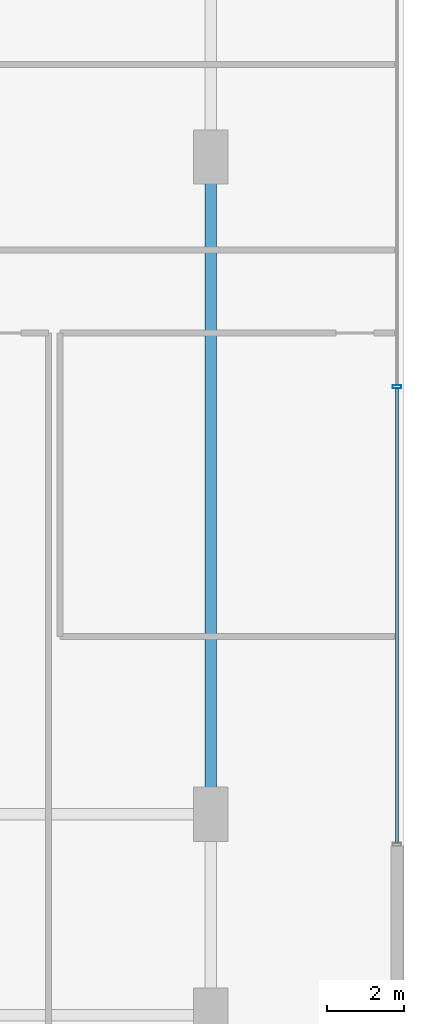
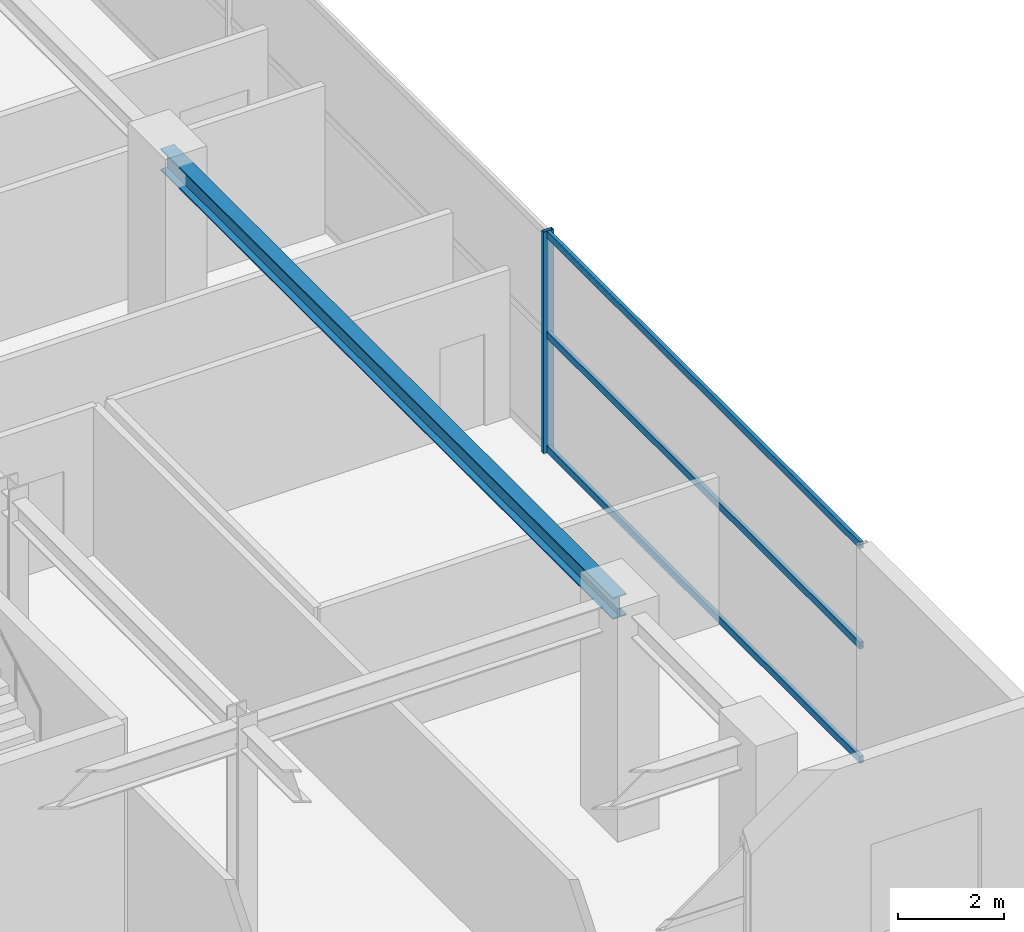
# One storey, part 22 of 32: 4 members, 1 beam, 1 element without a shape of its own.
"""IFC4 building model written with IfcOpenShell, lengths in metres."""

from ifc_helpers import new_model, si_unit, direction, frame, origin, origin_2d, place, context, subcontext, project, spatial, hollow_rectangle, i_section, extrude, source, transform, mapped, material, material_profile, profile_set, type_object, element, aggregate, save


model = new_model("IFC4")

# Units and contexts
model_context = context("Model", 3, precision=1e-05, world=origin(), true_north=direction((0.0, 1.0)))
body_context = subcontext(model_context, "Body", "Model", "MODEL_VIEW")
ifc_project = project(units=[si_unit("LENGTHUNIT", "METRE"), si_unit("AREAUNIT", "SQUARE_METRE"), si_unit("VOLUMEUNIT", "CUBIC_METRE"), si_unit("PLANEANGLEUNIT", "RADIAN"), si_unit("MASSUNIT", "GRAM", prefix="KILO")], contexts=[model_context])

# Site, building, storey
site_placement = place(None, origin())
site = spatial("IfcSite", under=ifc_project, at=site_placement, CompositionType="ELEMENT")
building_placement = place(site_placement, origin())
building = spatial("IfcBuilding", under=site, at=building_placement, Name="Nahalor Promenade Grand Hotel", CompositionType="ELEMENT")
storey_placement = place(building_placement, frame((0.0, 0.0, 5.39990234375)))
storey = spatial("IfcBuildingStorey", under=building, at=storey_placement, Name="L01", CompositionType="ELEMENT", Elevation=5.39990234375)

# Beam
ifc_material_1 = material(Name="Steel S355JR", Category="steel")
ifc_material_profile_1 = material_profile(ifc_material_1, i_section(OverallWidth=0.3, OverallDepth=0.5, WebThickness=0.0145, FlangeThickness=0.028, at=origin_2d()), Name="HEB 500")
ifc_profile_set_1 = profile_set([ifc_material_profile_1], Name="Steel S355JR")
beam_type = type_object("IfcBeamType", Name="Beam-Spandrel-HEB500", PredefinedType="SPANDREL", material=ifc_profile_set_1)
shared_shape_1 = source(origin(), body_context, "Body", "SweptSolid", [
    extrude(i_section(OverallWidth=0.3, OverallDepth=0.5, WebThickness=0.0145, FlangeThickness=0.028, at=origin_2d()), origin(), (0.0, 0.0, 1.0), 17.0),
])
beam_placement = place(storey_placement, frame((33.0, -17.0, 4.830078125), z_axis=(0.0, 1.0, 0.0), x_axis=(-1.0, 0.0, 0.0)))
element("IfcBeam", 1, at=beam_placement, inside=storey, type_object=beam_type, Name="BM-L01-PE-1", PredefinedType="SPANDREL", context=body_context, shape_type="MappedRepresentation", body=[
    mapped(shared_shape_1, transform((0.0, 0.0, 0.0), scale=1.0)),
])

# Curtain wall, members
ifc_material_2 = material(Name="Anodised Bronze Aluminium EN AW-6063 T6", Category="aluminium")
curtain_wall_type = type_object("IfcCurtainWallType", Name="CW1 Waterfront Podium Bronze Arcade Curtain Wall", PredefinedType="USERDEFINED", material=ifc_material_2)
curtain_wall_placement = place(storey_placement, origin())
curtain_wall = element("IfcCurtainWall", 2, at=curtain_wall_placement, inside=storey, type_object=curtain_wall_type, Name="L01 Curtain Wall CW-L01-E", ObjectType="UNITISED_CURTAIN_WALL", PredefinedType="USERDEFINED")
ifc_material_profile_2 = material_profile(ifc_material_2, hollow_rectangle(XDim=0.08, YDim=0.22, WallThickness=0.005, at=origin_2d()), Name="CWM 80x220x5")
ifc_profile_set_2 = profile_set([ifc_material_profile_2], Name="Anodised Bronze Aluminium EN AW-6063 T6")
member_type_1 = type_object("IfcMemberType", Name="CWM1 Podium Bronze Mullion 80x220", PredefinedType="MULLION", material=ifc_profile_set_2)
shared_shape_2 = source(origin(), body_context, "Body", "SweptSolid", [
    extrude(hollow_rectangle(XDim=0.08, YDim=0.22, WallThickness=0.005, at=origin_2d()), origin(), (0.0, 0.0, 1.0), 5.080078125),
])
member_1_placement = place(storey_placement, frame((37.820068359375, -5.93994140625, 0.0), z_axis=(0.0, 0.0, 1.0), x_axis=(0.0, 1.0, 0.0)))
member_1 = element("IfcMember", 3, at=member_1_placement, type_object=member_type_1, Name="CW-L01-E Mullion 1", PredefinedType="MULLION", context=body_context, shape_type="MappedRepresentation", body=[
    mapped(shared_shape_2, transform((0.0, 0.0, 0.0), scale=1.0)),
])
ifc_material_profile_3 = material_profile(ifc_material_2, hollow_rectangle(XDim=0.08, YDim=0.16, WallThickness=0.004, at=origin_2d()), Name="CWT 80x160x4")
ifc_profile_set_3 = profile_set([ifc_material_profile_3], Name="Anodised Bronze Aluminium EN AW-6063 T6")
member_type_2 = type_object("IfcMemberType", Name="CWT1 Podium Bronze Transom 80x160", PredefinedType="USERDEFINED", material=ifc_profile_set_3)
shared_shape_3 = source(origin(), body_context, "Body", "SweptSolid", [
    extrude(hollow_rectangle(XDim=0.08, YDim=0.16, WallThickness=0.004, at=origin_2d()), origin(), (0.0, 0.0, 1.0), 11.760009765625),
])
member_2_placement = place(storey_placement, frame((37.820068359375, -17.739990234375, 0.080078125), z_axis=(0.0, 1.0, 0.0), x_axis=(-1.0, 0.0, 0.0)))
member_2 = element("IfcMember", 4, at=member_2_placement, type_object=member_type_2, Name="CW-L01-E Transom 0-0", ObjectType="TRANSOM", PredefinedType="USERDEFINED", context=body_context, shape_type="MappedRepresentation", body=[
    mapped(shared_shape_3, transform((0.0, 0.0, 0.0), scale=1.0)),
])
member_3_placement = place(storey_placement, frame((37.820068359375, -17.739990234375, 2.7001953125), z_axis=(0.0, 1.0, 0.0), x_axis=(-1.0, 0.0, 0.0)))
member_3 = element("IfcMember", 5, at=member_3_placement, type_object=member_type_2, Name="CW-L01-E Transom 0-1", ObjectType="TRANSOM", PredefinedType="USERDEFINED", context=body_context, shape_type="MappedRepresentation", body=[
    mapped(shared_shape_3, transform((0.0, 0.0, 0.0), scale=1.0)),
])
member_4_placement = place(storey_placement, frame((37.820068359375, -17.739990234375, 5.0), z_axis=(0.0, 1.0, 0.0), x_axis=(-1.0, 0.0, 0.0)))
member_4 = element("IfcMember", 6, at=member_4_placement, type_object=member_type_2, Name="CW-L01-E Transom 0-2", ObjectType="TRANSOM", PredefinedType="USERDEFINED", context=body_context, shape_type="MappedRepresentation", body=[
    mapped(shared_shape_3, transform((0.0, 0.0, 0.0), scale=1.0)),
])
aggregate(curtain_wall, [member_1, member_2, member_3, member_4])

save(model, "model.ifc")
